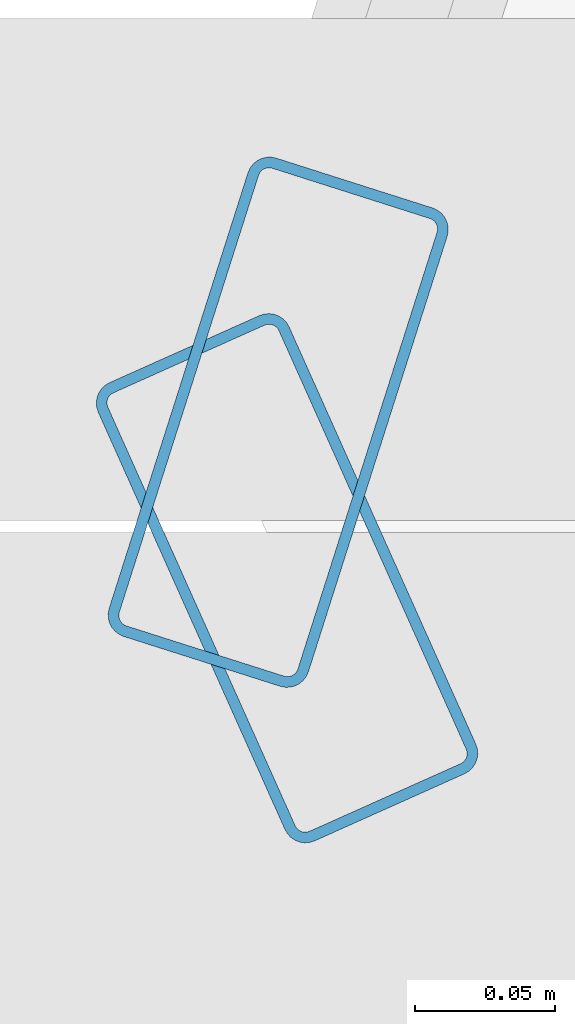
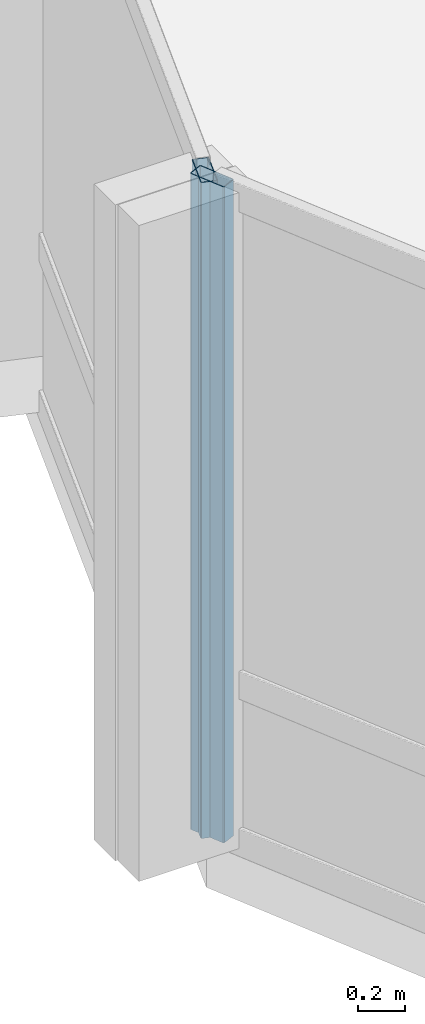
# One storey, part 6 of 19: 2 members, 2 elements without a shape of their own.
"""IFC4 building model written with IfcOpenShell, lengths in metres."""

from ifc_helpers import new_model, si_unit, direction, frame, origin, origin_2d, place, context, subcontext, project, spatial, hollow_rectangle, extrude, material, layer, layer_set, material_profile, profile_set, type_object, element, aggregate, save


model = new_model("IFC4")

# Units and contexts
model_context = context("Model", 3, precision=1e-05, world=origin(), true_north=direction((0.0, 1.0)))
body_context = subcontext(model_context, "Body", "Model", "MODEL_VIEW")
ifc_project = project(units=[si_unit("LENGTHUNIT", "METRE"), si_unit("AREAUNIT", "SQUARE_METRE"), si_unit("VOLUMEUNIT", "CUBIC_METRE"), si_unit("PLANEANGLEUNIT", "RADIAN"), si_unit("MASSUNIT", "GRAM", prefix="KILO")], contexts=[model_context])

# Site, building, storey
site_placement = place(None, origin())
site = spatial("IfcSite", under=ifc_project, at=site_placement, CompositionType="ELEMENT")
building_placement = place(site_placement, origin())
building = spatial("IfcBuilding", under=site, at=building_placement, Name="Solvaryn Broadcast Tower", CompositionType="ELEMENT")
storey_placement = place(building_placement, frame((0.0, 0.0, 263.0)))
storey = spatial("IfcBuildingStorey", under=building, at=storey_placement, Name="L66", CompositionType="ELEMENT", Elevation=263.0)

# Curtain wall, member
ifc_material_1 = material(Name="Aluminium and Terracotta Unitised Curtain Wall", Category="masonry")
ifc_layer = layer(ifc_material_1, 0.199951171875)
ifc_layer_set = layer_set([ifc_layer], Name="CW-SYS2-LOWMID")
curtain_wall_type = type_object("IfcCurtainWallType", Name="CW-SYS2-LOWMID", PredefinedType="NOTDEFINED", material=ifc_layer_set)
curtain_wall_1_placement = place(storey_placement, origin())
curtain_wall_1 = element("IfcCurtainWall", 1, at=curtain_wall_1_placement, inside=storey, type_object=curtain_wall_type, Name="L66 Curtain Wall DR1", PredefinedType="NOTDEFINED")
ifc_material_2 = material(Name="Anodised Aluminium 6063-T6", Category="aluminium")
ifc_material_profile = material_profile(ifc_material_2, hollow_rectangle(XDim=0.074951171875, YDim=0.179931640625, WallThickness=0.00390625, InnerFilletRadius=0.00390625, OuterFilletRadius=0.008056640625, at=origin_2d()))
ifc_profile_set = profile_set([ifc_material_profile], Name="Anodised Aluminium 6063-T6")
member_type = type_object("IfcMemberType", Name="CW-MUL-180", PredefinedType="MULLION", material=ifc_profile_set)
member_1_placement = place(storey_placement, frame((3.7470703125, 26.66455078125, 0.0), z_axis=(0.0, 0.0, 1.0), x_axis=(0.952794594701, -0.30361564569, 0.0)))
member_1 = element("IfcMember", 2, at=member_1_placement, type_object=member_type, Name="CWS2 mullion 2", PredefinedType="MULLION", context=body_context, shape_type="SweptSolid", body=[
    extrude(hollow_rectangle(XDim=0.074951171875, YDim=0.179931640625, WallThickness=0.00390625, InnerFilletRadius=0.00390625, OuterFilletRadius=0.008056640625, at=origin_2d()), origin(), (0.0, 0.0, 1.0), 3.419921875),
])
aggregate(curtain_wall_1, [member_1])

curtain_wall_2_placement = place(storey_placement, origin())
curtain_wall_2 = element("IfcCurtainWall", 3, at=curtain_wall_2_placement, inside=storey, type_object=curtain_wall_type, Name="L66 Curtain Wall DR2", PredefinedType="NOTDEFINED")
member_2_placement = place(storey_placement, frame((3.750244140625, 26.608642578125, 0.0), z_axis=(0.0, 0.0, 1.0), x_axis=(0.912773530574, 0.408466010682, 0.0)))
member_2 = element("IfcMember", 4, at=member_2_placement, type_object=member_type, Name="CWS2 mullion 1", PredefinedType="MULLION", context=body_context, shape_type="SweptSolid", body=[
    extrude(hollow_rectangle(XDim=0.074951171875, YDim=0.179931640625, WallThickness=0.00390625, InnerFilletRadius=0.00390625, OuterFilletRadius=0.008056640625, at=origin_2d()), origin(), (0.0, 0.0, 1.0), 3.419921875),
])
aggregate(curtain_wall_2, [member_2])

save(model, "model.ifc")
